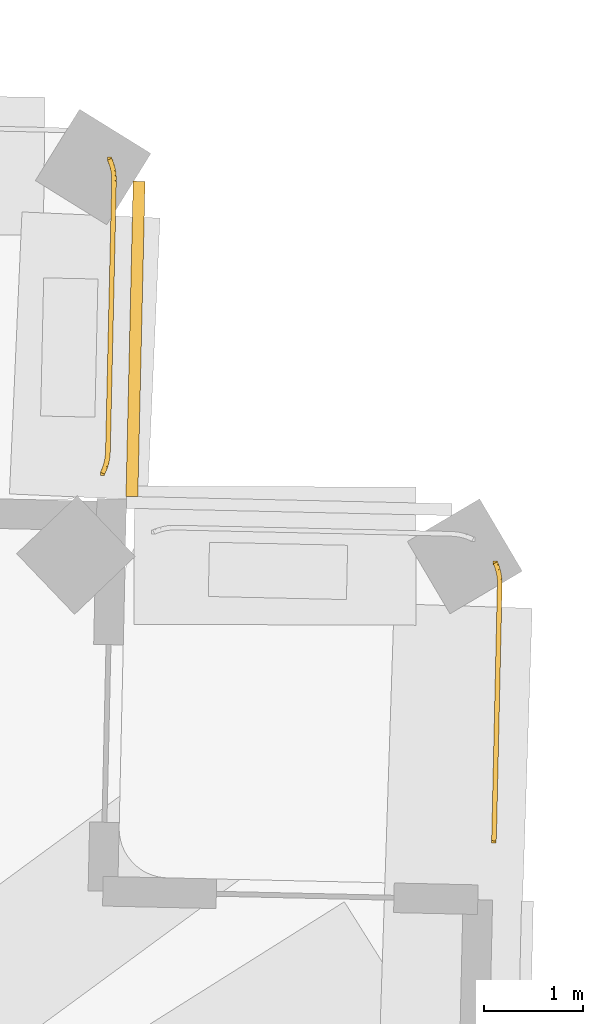
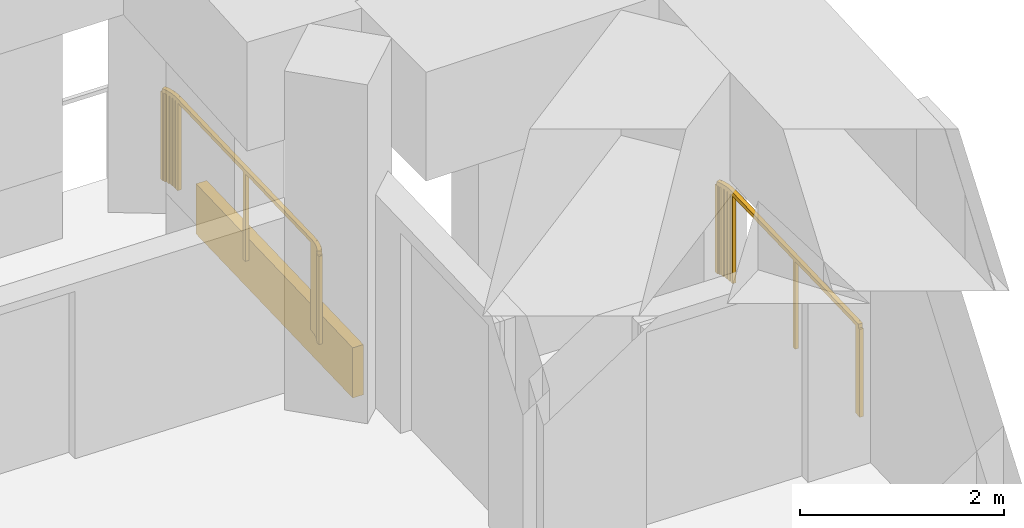
# One storey, part 17 of 17: 2 railings, 1 covering.
"""IFC4 building model written with IfcOpenShell, lengths in metres."""

from ifc_helpers import new_model, si_unit, direction, frame, frame_2d, origin, origin_2d, place, context, subcontext, project, spatial, rectangle, extrude, material, layer, layer_set, type_object, element, save


model = new_model("IFC4")

# Units and contexts
model_context = context("Model", 3, precision=1e-05, world=origin(), true_north=direction((0.0, 1.0)))
body_context = subcontext(model_context, "Body", "Model", "MODEL_VIEW")
ifc_project = project(units=[si_unit("LENGTHUNIT", "METRE"), si_unit("AREAUNIT", "SQUARE_METRE"), si_unit("VOLUMEUNIT", "CUBIC_METRE"), si_unit("PLANEANGLEUNIT", "RADIAN"), si_unit("MASSUNIT", "GRAM", prefix="KILO")], contexts=[model_context])

# Site, building, storey
site_placement = place(None, origin())
site = spatial("IfcSite", under=ifc_project, at=site_placement, CompositionType="ELEMENT")
building_placement = place(site_placement, origin())
building = spatial("IfcBuilding", under=site, at=building_placement, Name="Mangrove Gate Tower", CompositionType="ELEMENT")
storey_placement = place(building_placement, frame((0.0, 0.0, 337.89990234375)))
storey = spatial("IfcBuildingStorey", under=building, at=storey_placement, Name="L86", CompositionType="ELEMENT", Elevation=337.89990234375)

# Railings
ifc_material_1 = material(Name="Stainless steel grade 316 with laminated glass infill", Category="steel")
railing_type = type_object("IfcRailingType", Name="Balcony guard 1100", PredefinedType="GUARDRAIL", material=ifc_material_1)
railing_1_placement = place(storey_placement, frame((27.283935546875, 20.466064453125, 0.0)))
element("IfcRailing", 1, at=railing_1_placement, inside=storey, type_object=railing_type, Name="GUARD L86 T1.2", PredefinedType="GUARDRAIL", context=body_context, shape_type="SweptSolid", body=[
    extrude(rectangle(XDim=0.048095703125, YDim=0.048095703125, at=origin_2d()), frame((0.0, 0.0, 1.076171875), z_axis=(0.429593233056, -0.903022510302, 0.0), x_axis=(0.903022510302, 0.429593233056, 0.0)), (0.0, 0.0, 1.0), 0.02783203125),
    extrude(rectangle(XDim=0.048095703125, YDim=0.048095703125, at=origin_2d()), frame((0.011962890625, -0.025146484375, 1.076171875), z_axis=(0.307292390957, -0.951615146191, 0.0), x_axis=(0.951615146191, 0.307292390957, 0.0)), (0.0, 0.0, 1.0), 0.04931640625),
    extrude(rectangle(XDim=0.048095703125, YDim=0.048095703125, at=origin_2d()), frame((0.027099609375, -0.072021484375, 1.076171875), z_axis=(0.222690428814, -0.974889210585, 0.0), x_axis=(0.974889210585, 0.222690428814, 0.0)), (0.0, 0.0, 1.0), 0.04931640625),
    extrude(rectangle(XDim=0.048095703125, YDim=0.048095703125, at=origin_2d()), frame((0.0380859375, -0.1201171875, 1.076171875), z_axis=(0.121541190452, -0.992586388695, 0.0), x_axis=(0.992586388695, 0.121541190452, 0.0)), (0.0, 0.0, 1.0), 0.048095703125),
    extrude(rectangle(XDim=0.048095703125, YDim=0.048095703125, at=origin_2d()), frame((0.0439453125, -0.16796875, 1.076171875), z_axis=(0.024382992455, -0.999702690643, 0.0), x_axis=(0.999702690643, 0.024382992455, 0.0)), (0.0, 0.0, 1.0), 0.050048828125),
    extrude(rectangle(XDim=0.048095703125, YDim=0.048095703125, at=origin_2d()), frame((0.045166015625, -0.218017578125, 1.076171875), z_axis=(-0.022406020031, -0.999748953621, 0.0), x_axis=(0.999748953621, -0.022406020031, 0.0)), (0.0, 0.0, 1.0), 2.5498046875),
    extrude(rectangle(XDim=0.048095703125, YDim=0.048095703125, at=origin_2d()), frame((-0.011962890625, -2.76708984375, 1.076171875), z_axis=(-0.079350984209, -0.996846739125, 0.0), x_axis=(0.996846739125, -0.079350984209, 0.0)), (0.0, 0.0, 1.0), 0.04931640625),
    extrude(rectangle(XDim=0.0419921875, YDim=0.0419921875, at=origin_2d()), origin(), (0.0, 0.0, 1.0), 1.052001953125),
    extrude(rectangle(XDim=0.0419921875, YDim=0.0419921875, at=origin_2d()), frame((0.011962890625, -0.025146484375, 0.0)), (0.0, 0.0, 1.0), 1.052001953125),
    extrude(rectangle(XDim=0.0419921875, YDim=0.0419921875, at=origin_2d()), frame((0.027099609375, -0.072021484375, 0.0)), (0.0, 0.0, 1.0), 1.052001953125),
    extrude(rectangle(XDim=0.0419921875, YDim=0.0419921875, at=origin_2d()), frame((0.0380859375, -0.1201171875, 0.0)), (0.0, 0.0, 1.0), 1.052001953125),
    extrude(rectangle(XDim=0.0419921875, YDim=0.0419921875, at=origin_2d()), frame((0.0439453125, -0.16796875, 0.0)), (0.0, 0.0, 1.0), 1.052001953125),
    extrude(rectangle(XDim=0.0419921875, YDim=0.0419921875, at=origin_2d()), frame((0.045166015625, -0.218017578125, 0.0)), (0.0, 0.0, 1.0), 1.052001953125),
    extrude(rectangle(XDim=0.0419921875, YDim=0.0419921875, at=origin_2d()), frame((0.0166015625, -1.49267578125, 0.0)), (0.0, 0.0, 1.0), 1.052001953125),
    extrude(rectangle(XDim=0.0419921875, YDim=0.0419921875, at=origin_2d()), frame((-0.011962890625, -2.76708984375, 0.0)), (0.0, 0.0, 1.0), 1.052001953125),
    extrude(rectangle(XDim=0.0419921875, YDim=0.0419921875, at=origin_2d()), frame((-0.015869140625, -2.816162109375, 0.0)), (0.0, 0.0, 1.0), 1.052001953125),
])
railing_2_placement = place(storey_placement, frame((23.3759765625, 24.555908203125, 0.0)))
element("IfcRailing", 2, at=railing_2_placement, inside=storey, type_object=railing_type, Name="GUARD L86 T3.4", PredefinedType="GUARDRAIL", context=body_context, shape_type="SweptSolid", body=[
    extrude(rectangle(XDim=0.048095703125, YDim=0.048095703125, at=origin_2d()), frame((0.0, 0.0, 1.076171875), z_axis=(0.390772844543, -0.920487144923, 0.0), x_axis=(0.920487144923, 0.390772844543, 0.0)), (0.0, 0.0, 1.0), 0.028076171875),
    extrude(rectangle(XDim=0.048095703125, YDim=0.048095703125, at=origin_2d()), frame((0.010986328125, -0.02587890625, 1.076171875), z_axis=(0.329682832837, -0.944091748578, 0.0), x_axis=(0.944091748578, 0.329682832837, 0.0)), (0.0, 0.0, 1.0), 0.048828125),
    extrude(rectangle(XDim=0.048095703125, YDim=0.048095703125, at=origin_2d()), frame((0.027099609375, -0.072021484375, 1.076171875), z_axis=(0.223769850009, -0.974642013371, 0.0), x_axis=(0.974642013371, 0.223769850009, 0.0)), (0.0, 0.0, 1.0), 0.049072265625),
    extrude(rectangle(XDim=0.048095703125, YDim=0.048095703125, at=origin_2d()), frame((0.0380859375, -0.119873046875, 1.076171875), z_axis=(0.118560811125, -0.992946793169, 0.0), x_axis=(0.992946793169, 0.118560811125, 0.0)), (0.0, 0.0, 1.0), 0.04931640625),
    extrude(rectangle(XDim=0.048095703125, YDim=0.048095703125, at=origin_2d()), frame((0.0439453125, -0.1689453125, 1.076171875), z_axis=(0.019896558087, -0.999802043895, 0.0), x_axis=(0.999802043895, 0.019896558087, 0.0)), (0.0, 0.0, 1.0), 0.049072265625),
    extrude(rectangle(XDim=0.048095703125, YDim=0.048095703125, at=origin_2d()), frame((0.044921875, -0.218017578125, 1.076171875), z_axis=(-0.022553991394, -0.999745626383, 0.0), x_axis=(0.999745626383, -0.022553991394, 0.0)), (0.0, 0.0, 1.0), 2.74951171875),
    extrude(rectangle(XDim=0.048095703125, YDim=0.048095703125, at=origin_2d()), frame((-0.01708984375, -2.966796875, 1.076171875), z_axis=(-0.079350984209, -0.996846739125, 0.0), x_axis=(0.996846739125, -0.079350984209, 0.0)), (0.0, 0.0, 1.0), 0.04931640625),
    extrude(rectangle(XDim=0.048095703125, YDim=0.048095703125, at=origin_2d()), frame((-0.02099609375, -3.015869140625, 1.076171875), z_axis=(-0.165210778199, -0.986258281976, 0.0), x_axis=(0.986258281976, -0.165210778199, 0.0)), (0.0, 0.0, 1.0), 0.048828125),
    extrude(rectangle(XDim=0.048095703125, YDim=0.048095703125, at=origin_2d()), frame((-0.029052734375, -3.06396484375, 1.076171875), z_axis=(-0.261033073796, -0.965329857813, 0.0), x_axis=(0.965329857813, -0.261033073796, 0.0)), (0.0, 0.0, 1.0), 0.049560546875),
    extrude(rectangle(XDim=0.048095703125, YDim=0.048095703125, at=origin_2d()), frame((-0.0419921875, -3.11181640625, 1.076171875), z_axis=(-0.364585106892, -0.931170070305, 0.0), x_axis=(0.931170070305, -0.364585106892, 0.0)), (0.0, 0.0, 1.0), 0.049560546875),
    extrude(rectangle(XDim=0.048095703125, YDim=0.048095703125, at=origin_2d()), frame((-0.06005859375, -3.157958984375, 1.076171875), z_axis=(-0.43301833784, -0.901385111422, 0.0), x_axis=(0.901385111422, -0.43301833784, 0.0)), (0.0, 0.0, 1.0), 0.027587890625),
    extrude(rectangle(XDim=0.0419921875, YDim=0.0419921875, at=origin_2d()), origin(), (0.0, 0.0, 1.0), 1.052001953125),
    extrude(rectangle(XDim=0.0419921875, YDim=0.0419921875, at=origin_2d()), frame((0.010986328125, -0.02587890625, 0.0)), (0.0, 0.0, 1.0), 1.052001953125),
    extrude(rectangle(XDim=0.0419921875, YDim=0.0419921875, at=origin_2d()), frame((0.027099609375, -0.072021484375, 0.0)), (0.0, 0.0, 1.0), 1.052001953125),
    extrude(rectangle(XDim=0.0419921875, YDim=0.0419921875, at=origin_2d()), frame((0.0380859375, -0.119873046875, 0.0)), (0.0, 0.0, 1.0), 1.052001953125),
    extrude(rectangle(XDim=0.0419921875, YDim=0.0419921875, at=origin_2d()), frame((0.0439453125, -0.1689453125, 0.0)), (0.0, 0.0, 1.0), 1.052001953125),
    extrude(rectangle(XDim=0.0419921875, YDim=0.0419921875, at=origin_2d()), frame((0.044921875, -0.218017578125, 0.0)), (0.0, 0.0, 1.0), 1.052001953125),
    extrude(rectangle(XDim=0.0419921875, YDim=0.0419921875, at=origin_2d()), frame((0.013916015625, -1.59228515625, 0.0)), (0.0, 0.0, 1.0), 1.052001953125),
    extrude(rectangle(XDim=0.0419921875, YDim=0.0419921875, at=origin_2d()), frame((-0.01708984375, -2.966796875, 0.0)), (0.0, 0.0, 1.0), 1.052001953125),
    extrude(rectangle(XDim=0.0419921875, YDim=0.0419921875, at=origin_2d()), frame((-0.02099609375, -3.015869140625, 0.0)), (0.0, 0.0, 1.0), 1.052001953125),
    extrude(rectangle(XDim=0.0419921875, YDim=0.0419921875, at=origin_2d()), frame((-0.029052734375, -3.06396484375, 0.0)), (0.0, 0.0, 1.0), 1.052001953125),
    extrude(rectangle(XDim=0.0419921875, YDim=0.0419921875, at=origin_2d()), frame((-0.0419921875, -3.11181640625, 0.0)), (0.0, 0.0, 1.0), 1.052001953125),
    extrude(rectangle(XDim=0.0419921875, YDim=0.0419921875, at=origin_2d()), frame((-0.06005859375, -3.157958984375, 0.0)), (0.0, 0.0, 1.0), 1.052001953125),
    extrude(rectangle(XDim=0.0419921875, YDim=0.0419921875, at=origin_2d()), frame((-0.072021484375, -3.182861328125, 0.0)), (0.0, 0.0, 1.0), 1.052001953125),
])

# Covering
ifc_material_2 = material(Name="Limestone", Category="masonry")
ifc_layer_1 = layer(ifc_material_2, 0.0400390625, Name="Limestone cladding")
ifc_material_3 = material(Name="Stainless steel anchors and cavity", Category="steel")
ifc_layer_2 = layer(ifc_material_3, 0.080078125, Name="Fixing cavity")
ifc_layer_set = layer_set([ifc_layer_1, ifc_layer_2], Name="Joint fascia cladding 120")
covering_type = type_object("IfcCoveringType", Name="Joint fascia cladding 120", PredefinedType="CLADDING", material=ifc_layer_set)
covering_placement = place(storey_placement, frame((23.675048828125, 24.33203125, -0.599853515625), z_axis=(0.0, 0.0, 1.0), x_axis=(-0.022924494365, -0.999737199247, 0.0)))
element("IfcCovering", 3, at=covering_placement, inside=storey, type_object=covering_type, Name="STONE FASCIA L86 Tcrown03-4.1", PredefinedType="CLADDING", context=body_context, shape_type="SweptSolid", body=[
    extrude(rectangle(XDim=3.19482421875, YDim=0.1201171875, at=frame_2d((1.597412109375, 0.0))), origin(), (0.0, 0.0, 1.0), 0.599853515625),
])

save(model, "model.ifc")
